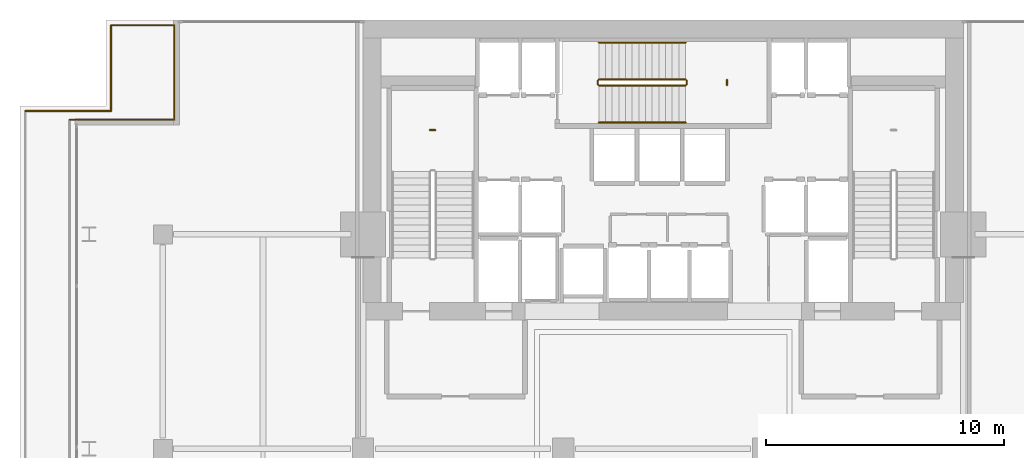
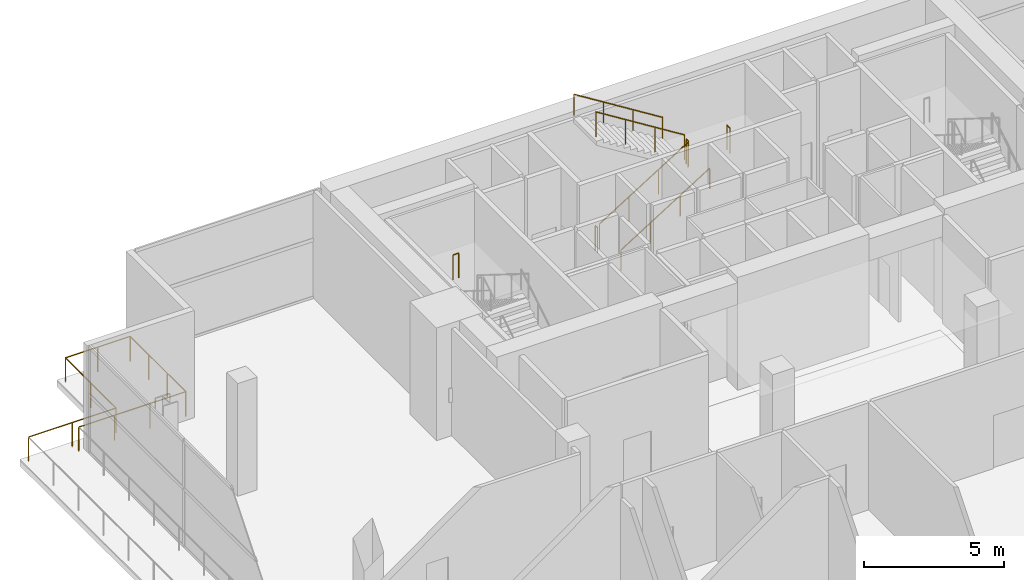
# One storey, part 30 of 31: 13 railings.
"""IFC4 building model written with IfcOpenShell, lengths in metres."""

from ifc_helpers import new_model, si_unit, direction, frame, origin, origin_2d, place, context, subcontext, project, spatial, circle, extrude, material, type_object, element, save


model = new_model("IFC4")

# Units and contexts
model_context = context("Model", 3, precision=1e-05, world=origin(), true_north=direction((0.0, 1.0)))
body_context = subcontext(model_context, "Body", "Model", "MODEL_VIEW")
ifc_project = project(units=[si_unit("LENGTHUNIT", "METRE"), si_unit("AREAUNIT", "SQUARE_METRE"), si_unit("VOLUMEUNIT", "CUBIC_METRE"), si_unit("PLANEANGLEUNIT", "RADIAN"), si_unit("MASSUNIT", "GRAM", prefix="KILO")], contexts=[model_context])

# Site, building, storey
site_placement = place(None, origin())
site = spatial("IfcSite", under=ifc_project, at=site_placement, CompositionType="ELEMENT")
building_placement = place(site_placement, origin())
building = spatial("IfcBuilding", under=site, at=building_placement, Name="Maruvema Waterfront Hotel and Observation Tower", CompositionType="ELEMENT")
storey_placement = place(building_placement, frame((0.0, 0.0, 122.5)))
storey = spatial("IfcBuildingStorey", under=building, at=storey_placement, Name="L29", CompositionType="ELEMENT", Elevation=122.5)

# Railings
ifc_material_1 = material(Name="Brushed stainless steel Grade 316", Category="steel")
railing_type_1 = type_object("IfcRailingType", Name="Ramp Continuous Wall Handrail 920 mm", PredefinedType="HANDRAIL", material=ifc_material_1)
railing_1_placement = place(storey_placement, frame((35.10009765625, 49.699951171875, 0.175048828125)))
element("IfcRailing", 1, at=railing_1_placement, inside=storey, type_object=railing_type_1, Name="L29 ST-02 stair handrail 1", PredefinedType="HANDRAIL", context=body_context, shape_type="SweptSolid", body=[
    extrude(circle(Radius=0.02392578125, at=origin_2d()), frame((0.0, 0.0, 0.89599609375), z_axis=(0.848001499411, 0.0, 0.52999382732), x_axis=(0.0, 1.0, 0.0)), (0.0, 0.0, 1.0), 4.292236328125),
    extrude(circle(Radius=0.02099609375, at=origin_2d()), origin(), (0.0, 0.0, 1.0), 0.871826171875),
    extrude(circle(Radius=0.02099609375, at=origin_2d()), frame((1.21337890625, 0.0, 0.75830078125)), (0.0, 0.0, 1.0), 0.871826171875),
    extrude(circle(Radius=0.02099609375, at=origin_2d()), frame((2.426513671875, 0.0, 1.5166015625)), (0.0, 0.0, 1.0), 0.871826171875),
    extrude(circle(Radius=0.02099609375, at=origin_2d()), frame((3.639892578125, 0.0, 2.27490234375)), (0.0, 0.0, 1.0), 0.871826171875),
])
railing_2_placement = place(storey_placement, frame((38.739990234375, 53.050048828125, 2.625)))
element("IfcRailing", 2, at=railing_2_placement, inside=storey, type_object=railing_type_1, Name="L29 ST-02 stair handrail 2", PredefinedType="HANDRAIL", context=body_context, shape_type="SweptSolid", body=[
    extrude(circle(Radius=0.02392578125, at=origin_2d()), frame((0.0, 0.0, 0.89599609375), z_axis=(-0.848001499411, 0.0, 0.52999382732), x_axis=(0.0, -1.0, 0.0)), (0.0, 0.0, 1.0), 4.292236328125),
    extrude(circle(Radius=0.02099609375, at=origin_2d()), origin(), (0.0, 0.0, 1.0), 0.871826171875),
    extrude(circle(Radius=0.02099609375, at=origin_2d()), frame((-1.21337890625, 0.0, 0.75830078125)), (0.0, 0.0, 1.0), 0.871826171875),
    extrude(circle(Radius=0.02099609375, at=origin_2d()), frame((-2.426513671875, 0.0, 1.5166015625)), (0.0, 0.0, 1.0), 0.871826171875),
    extrude(circle(Radius=0.02099609375, at=origin_2d()), frame((-3.639892578125, 0.0, 2.27490234375)), (0.0, 0.0, 1.0), 0.871826171875),
])
ifc_material_2 = material(Name="Brushed stainless steel Grade 316", Category="steel")
railing_type_2 = type_object("IfcRailingType", Name="Ramp and Terrace Guard Balustrade 1100 mm", PredefinedType="BALUSTRADE", material=ifc_material_2)
railing_3_placement = place(storey_placement, frame((28.239990234375, 49.3798828125, 2.449951171875)))
element("IfcRailing", 3, at=railing_3_placement, inside=storey, type_object=railing_type_2, Name="L29 ST-01 Half-Landing Slot Guard", PredefinedType="BALUSTRADE", context=body_context, shape_type="SweptSolid", body=[
    extrude(circle(Radius=0.02392578125, at=origin_2d()), frame((0.0, 0.0, 1.076171875), z_axis=(-1.0, 0.0, 0.0), x_axis=(0.0, -1.0, 0.0)), (0.0, 0.0, 1.0), 0.22998046875),
    extrude(circle(Radius=0.02099609375, at=origin_2d()), origin(), (0.0, 0.0, 1.0), 1.052001953125),
    extrude(circle(Radius=0.02099609375, at=origin_2d()), frame((-0.22998046875, 0.0, 0.0)), (0.0, 0.0, 1.0), 1.052001953125),
])
railing_4_placement = place(storey_placement, frame((35.10009765625, 51.25, 0.175048828125)))
element("IfcRailing", 4, at=railing_4_placement, inside=storey, type_object=railing_type_2, Name="L29 ST-02 stair guard 1", PredefinedType="BALUSTRADE", context=body_context, shape_type="SweptSolid", body=[
    extrude(circle(Radius=0.02392578125, at=origin_2d()), frame((0.0, 0.0, 1.076171875), z_axis=(0.848001499411, 0.0, 0.52999382732), x_axis=(0.0, 1.0, 0.0)), (0.0, 0.0, 1.0), 4.292236328125),
    extrude(circle(Radius=0.02099609375, at=origin_2d()), origin(), (0.0, 0.0, 1.0), 1.052001953125),
    extrude(circle(Radius=0.02099609375, at=origin_2d()), frame((1.21337890625, 0.0, 0.75830078125)), (0.0, 0.0, 1.0), 1.052001953125),
    extrude(circle(Radius=0.02099609375, at=origin_2d()), frame((2.426513671875, 0.0, 1.5166015625)), (0.0, 0.0, 1.0), 1.052001953125),
    extrude(circle(Radius=0.02099609375, at=origin_2d()), frame((3.639892578125, 0.0, 2.27490234375)), (0.0, 0.0, 1.0), 1.052001953125),
])
railing_5_placement = place(storey_placement, frame((38.7900390625, 51.300048828125, 2.449951171875)))
element("IfcRailing", 5, at=railing_5_placement, inside=storey, type_object=railing_type_2, Name="L29 ST-02 stair guard 2", PredefinedType="BALUSTRADE", context=body_context, shape_type="SweptSolid", body=[
    extrude(circle(Radius=0.02392578125, at=origin_2d()), frame((0.0, 0.0, 1.076171875), z_axis=(0.0, 1.0, 0.0), x_axis=(-1.0, 0.0, 0.0)), (0.0, 0.0, 1.0), 0.14990234375),
    extrude(circle(Radius=0.02099609375, at=origin_2d()), origin(), (0.0, 0.0, 1.0), 1.052001953125),
    extrude(circle(Radius=0.02099609375, at=origin_2d()), frame((0.0, 0.14990234375, 0.0)), (0.0, 0.0, 1.0), 1.052001953125),
])
railing_6_placement = place(storey_placement, frame((38.739990234375, 51.5, 2.625)))
element("IfcRailing", 6, at=railing_6_placement, inside=storey, type_object=railing_type_2, Name="L29 ST-02 stair guard 3", PredefinedType="BALUSTRADE", context=body_context, shape_type="SweptSolid", body=[
    extrude(circle(Radius=0.02392578125, at=origin_2d()), frame((0.0, 0.0, 1.076171875), z_axis=(-0.848001499411, 0.0, 0.52999382732), x_axis=(0.0, -1.0, 0.0)), (0.0, 0.0, 1.0), 4.292236328125),
    extrude(circle(Radius=0.02099609375, at=origin_2d()), origin(), (0.0, 0.0, 1.0), 1.052001953125),
    extrude(circle(Radius=0.02099609375, at=origin_2d()), frame((-1.21337890625, 0.0, 0.75830078125)), (0.0, 0.0, 1.0), 1.052001953125),
    extrude(circle(Radius=0.02099609375, at=origin_2d()), frame((-2.426513671875, 0.0, 1.5166015625)), (0.0, 0.0, 1.0), 1.052001953125),
    extrude(circle(Radius=0.02099609375, at=origin_2d()), frame((-3.639892578125, 0.0, 2.27490234375)), (0.0, 0.0, 1.0), 1.052001953125),
])
railing_7_placement = place(storey_placement, frame((35.050048828125, 51.300048828125, 0.0)))
element("IfcRailing", 7, at=railing_7_placement, inside=storey, type_object=railing_type_2, Name="L29 ST-02 stair guard 4", PredefinedType="BALUSTRADE", context=body_context, shape_type="SweptSolid", body=[
    extrude(circle(Radius=0.02392578125, at=origin_2d()), frame((0.0, 0.0, 1.076171875), z_axis=(0.0, 1.0, 0.0), x_axis=(-1.0, 0.0, 0.0)), (0.0, 0.0, 1.0), 0.14990234375),
    extrude(circle(Radius=0.02099609375, at=origin_2d()), origin(), (0.0, 0.0, 1.0), 1.052001953125),
    extrude(circle(Radius=0.02099609375, at=origin_2d()), frame((0.0, 0.14990234375, 0.0)), (0.0, 0.0, 1.0), 1.052001953125),
])
railing_8_placement = place(storey_placement, frame((40.47998046875, 51.260009765625, 2.449951171875)))
element("IfcRailing", 8, at=railing_8_placement, inside=storey, type_object=railing_type_2, Name="L29 ST-02 Half-Landing Slot Guard", PredefinedType="BALUSTRADE", context=body_context, shape_type="SweptSolid", body=[
    extrude(circle(Radius=0.02392578125, at=origin_2d()), frame((0.0, 0.0, 1.076171875), z_axis=(0.0, 1.0, 0.0), x_axis=(-1.0, 0.0, 0.0)), (0.0, 0.0, 1.0), 0.22998046875),
    extrude(circle(Radius=0.02099609375, at=origin_2d()), origin(), (0.0, 0.0, 1.0), 1.052001953125),
    extrude(circle(Radius=0.02099609375, at=origin_2d()), frame((0.0, 0.22998046875, 0.0)), (0.0, 0.0, 1.0), 1.052001953125),
])
railing_9_placement = place(storey_placement, frame((11.02001953125, 50.179931640625, 0.0)))
element("IfcRailing", 9, at=railing_9_placement, inside=storey, type_object=railing_type_2, Name="L29 Perimeter Safety Balustrade 10", PredefinedType="BALUSTRADE", context=body_context, shape_type="SweptSolid", body=[
    extrude(circle(Radius=0.02392578125, at=origin_2d()), frame((0.0, 0.0, 1.076171875), z_axis=(1.0, 0.0, 0.0), x_axis=(0.0, 1.0, 0.0)), (0.0, 0.0, 1.0), 3.60009765625),
    extrude(circle(Radius=0.02099609375, at=origin_2d()), origin(), (0.0, 0.0, 1.0), 1.052001953125),
    extrude(circle(Radius=0.02099609375, at=origin_2d()), frame((1.800048828125, 0.0, 0.0)), (0.0, 0.0, 1.0), 1.052001953125),
    extrude(circle(Radius=0.02099609375, at=origin_2d()), frame((3.60009765625, 0.0, 0.0)), (0.0, 0.0, 1.0), 1.052001953125),
])
railing_10_placement = place(storey_placement, frame((14.6201171875, 50.179931640625, 0.0)))
element("IfcRailing", 10, at=railing_10_placement, inside=storey, type_object=railing_type_2, Name="L29 Perimeter Safety Balustrade 11", PredefinedType="BALUSTRADE", context=body_context, shape_type="SweptSolid", body=[
    extrude(circle(Radius=0.02392578125, at=origin_2d()), frame((0.0, 0.0, 1.076171875), z_axis=(0.0, 1.0, 0.0), x_axis=(-1.0, 0.0, 0.0)), (0.0, 0.0, 1.0), 3.60009765625),
    extrude(circle(Radius=0.02099609375, at=origin_2d()), origin(), (0.0, 0.0, 1.0), 1.052001953125),
    extrude(circle(Radius=0.02099609375, at=origin_2d()), frame((0.0, 1.800048828125, 0.0)), (0.0, 0.0, 1.0), 1.052001953125),
    extrude(circle(Radius=0.02099609375, at=origin_2d()), frame((0.0, 3.60009765625, 0.0)), (0.0, 0.0, 1.0), 1.052001953125),
])
railing_11_placement = place(storey_placement, frame((14.6201171875, 53.780029296875, 0.0)))
element("IfcRailing", 11, at=railing_11_placement, inside=storey, type_object=railing_type_2, Name="L29 Perimeter Safety Balustrade 12", PredefinedType="BALUSTRADE", context=body_context, shape_type="SweptSolid", body=[
    extrude(circle(Radius=0.02392578125, at=origin_2d()), frame((0.0, 0.0, 1.076171875), z_axis=(1.0, 0.0, 0.0), x_axis=(0.0, 1.0, 0.0)), (0.0, 0.0, 1.0), 2.659912109375),
    extrude(circle(Radius=0.02099609375, at=origin_2d()), origin(), (0.0, 0.0, 1.0), 1.052001953125),
    extrude(circle(Radius=0.02099609375, at=origin_2d()), frame((1.330078125, 0.0, 0.0)), (0.0, 0.0, 1.0), 1.052001953125),
    extrude(circle(Radius=0.02099609375, at=origin_2d()), frame((2.659912109375, 0.0, 0.0)), (0.0, 0.0, 1.0), 1.052001953125),
])
railing_12_placement = place(storey_placement, frame((17.280029296875, 53.780029296875, 0.0)))
element("IfcRailing", 12, at=railing_12_placement, inside=storey, type_object=railing_type_2, Name="L29 Perimeter Safety Balustrade 13", PredefinedType="BALUSTRADE", context=body_context, shape_type="SweptSolid", body=[
    extrude(circle(Radius=0.02392578125, at=origin_2d()), frame((0.0, 0.0, 1.076171875), z_axis=(0.0, -1.0, 0.0), x_axis=(1.0, 0.0, 0.0)), (0.0, 0.0, 1.0), 3.9599609375),
    extrude(circle(Radius=0.02099609375, at=origin_2d()), origin(), (0.0, 0.0, 1.0), 1.052001953125),
    extrude(circle(Radius=0.02099609375, at=origin_2d()), frame((0.0, -1.320068359375, 0.0)), (0.0, 0.0, 1.0), 1.052001953125),
    extrude(circle(Radius=0.02099609375, at=origin_2d()), frame((0.0, -2.639892578125, 0.0)), (0.0, 0.0, 1.0), 1.052001953125),
    extrude(circle(Radius=0.02099609375, at=origin_2d()), frame((0.0, -3.9599609375, 0.0)), (0.0, 0.0, 1.0), 1.052001953125),
])
railing_13_placement = place(storey_placement, frame((17.280029296875, 49.820068359375, 0.0)))
element("IfcRailing", 13, at=railing_13_placement, inside=storey, type_object=railing_type_2, Name="L29 Perimeter Safety Balustrade 14", PredefinedType="BALUSTRADE", context=body_context, shape_type="SweptSolid", body=[
    extrude(circle(Radius=0.02392578125, at=origin_2d()), frame((0.0, 0.0, 1.076171875), z_axis=(-1.0, 0.0, 0.0), x_axis=(0.0, -1.0, 0.0)), (0.0, 0.0, 1.0), 4.400146484375),
    extrude(circle(Radius=0.02099609375, at=origin_2d()), origin(), (0.0, 0.0, 1.0), 1.052001953125),
    extrude(circle(Radius=0.02099609375, at=origin_2d()), frame((-1.466796875, 0.0, 0.0)), (0.0, 0.0, 1.0), 1.052001953125),
    extrude(circle(Radius=0.02099609375, at=origin_2d()), frame((-2.933349609375, 0.0, 0.0)), (0.0, 0.0, 1.0), 1.052001953125),
    extrude(circle(Radius=0.02099609375, at=origin_2d()), frame((-4.400146484375, 0.0, 0.0)), (0.0, 0.0, 1.0), 1.052001953125),
])

save(model, "model.ifc")
